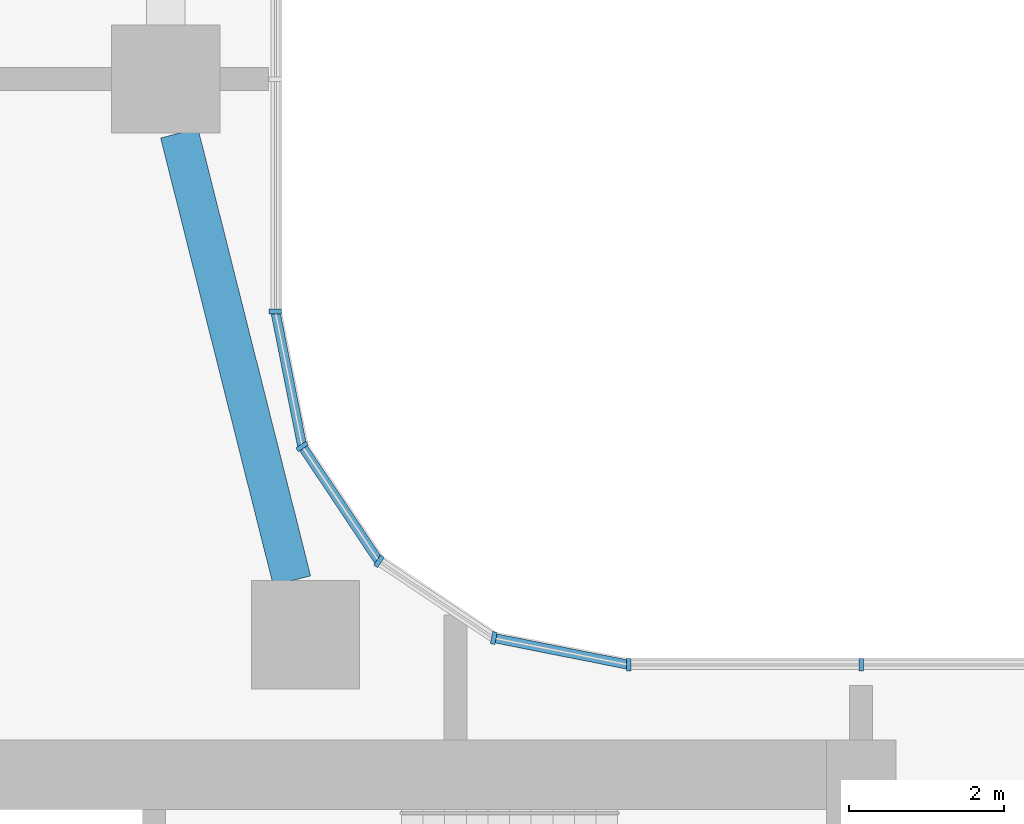
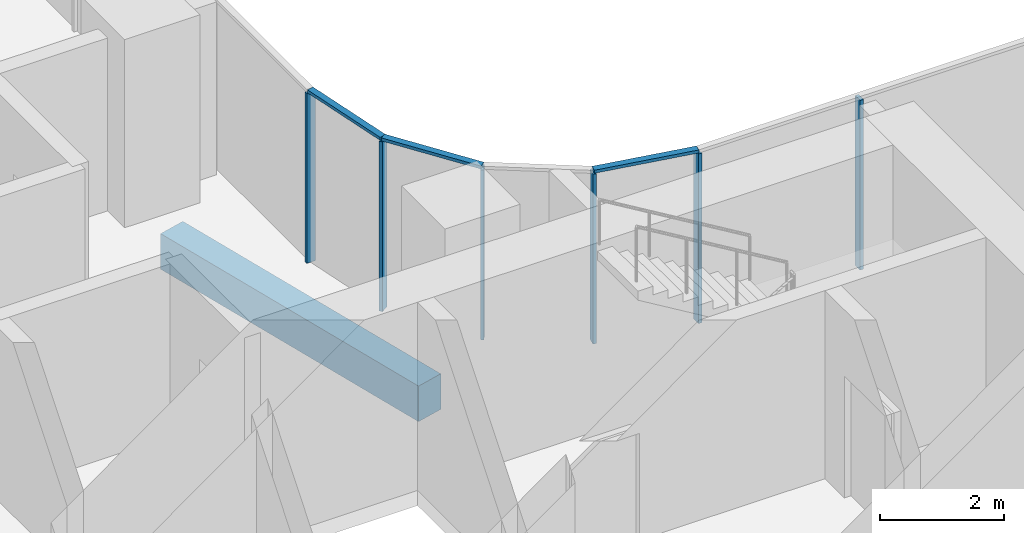
# One storey, part 2 of 33: 9 members, 1 beam, 3 elements without a shape of their own.
"""IFC4 building model written with IfcOpenShell, lengths in metres."""

from ifc_helpers import new_model, si_unit, direction, frame, origin, origin_2d, place, context, subcontext, project, spatial, rectangle, extrude, material, material_profile, profile_set, type_object, element, aggregate, save


model = new_model("IFC4")

# Units and contexts
model_context = context("Model", 3, precision=1e-05, world=origin(), true_north=direction((0.0, 1.0)))
body_context = subcontext(model_context, "Body", "Model", "MODEL_VIEW")
ifc_project = project(units=[si_unit("LENGTHUNIT", "METRE"), si_unit("AREAUNIT", "SQUARE_METRE"), si_unit("VOLUMEUNIT", "CUBIC_METRE"), si_unit("PLANEANGLEUNIT", "RADIAN"), si_unit("MASSUNIT", "GRAM", prefix="KILO")], contexts=[model_context])

# Site, building, storey
site_placement = place(None, origin())
site = spatial("IfcSite", under=ifc_project, at=site_placement, CompositionType="ELEMENT")
building_placement = place(site_placement, origin())
building = spatial("IfcBuilding", under=site, at=building_placement, Name="Ogive Portal Towers", CompositionType="ELEMENT")
storey_placement = place(building_placement, frame((0.0, 0.0, 77.89990234375)))
storey = spatial("IfcBuildingStorey", under=building, at=storey_placement, Name="L18", CompositionType="ELEMENT", Elevation=77.89990234375)

# Curtain wall, members
ifc_material_1 = material(Name="Glass, clear low-iron insulated glazing", Category="glass")
curtain_wall_type = type_object("IfcCurtainWallType", Name="CW FRONT RIBBON 4500", PredefinedType="NOTDEFINED", material=ifc_material_1)
curtain_wall_1_placement = place(storey_placement, origin())
curtain_wall_1 = element("IfcCurtainWall", 1, at=curtain_wall_1_placement, inside=storey, type_object=curtain_wall_type, Name="A:L18:f12:cw0", PredefinedType="NOTDEFINED")
ifc_material_2 = material(Name="Aluminium 6063 anodised", Category="aluminium")
ifc_material_profile_1 = material_profile(ifc_material_2, rectangle(XDim=0.159912109375, YDim=0.06005859375, at=origin_2d()), Name="AL 60x160")
ifc_profile_set_1 = profile_set([ifc_material_profile_1], Name="Aluminium 6063 anodised")
member_type_1 = type_object("IfcMemberType", Name="CW MULLION 60x160", PredefinedType="MULLION", material=ifc_profile_set_1)
member_1_placement = place(storey_placement, frame((58.5, 40.919921875, 0.0), z_axis=(0.0, 0.0, 1.0), x_axis=(0.0, -1.0, 0.0)))
member_1 = element("IfcMember", 2, at=member_1_placement, type_object=member_type_1, Name="mullion", PredefinedType="MULLION", context=body_context, shape_type="SweptSolid", body=[
    extrude(rectangle(XDim=0.159912109375, YDim=0.06005859375, at=origin_2d()), origin(), (0.0, 0.0, 1.0), 3.340087890625),
])
member_2_placement = place(storey_placement, frame((55.4921875, 40.919921875, 0.0), z_axis=(0.0, 0.0, 1.0), x_axis=(0.0, -1.0, 0.0)))
member_2 = element("IfcMember", 3, at=member_2_placement, type_object=member_type_1, Name="mullion", PredefinedType="MULLION", context=body_context, shape_type="SweptSolid", body=[
    extrude(rectangle(XDim=0.159912109375, YDim=0.06005859375, at=origin_2d()), origin(), (0.0, 0.0, 1.0), 3.340087890625),
])
aggregate(curtain_wall_1, [member_1, member_2])

# Curtain wall, member
curtain_wall_2_placement = place(storey_placement, origin())
curtain_wall_2 = element("IfcCurtainWall", 4, at=curtain_wall_2_placement, inside=storey, type_object=curtain_wall_type, Name="A:L18:f17:cw0", PredefinedType="NOTDEFINED")
member_3_placement = place(storey_placement, frame((50.919921875, 45.4921875, 0.0), z_axis=(0.0, 0.0, 1.0), x_axis=(-1.0, 0.0, 0.0)))
member_3 = element("IfcMember", 5, at=member_3_placement, type_object=member_type_1, Name="mullion", PredefinedType="MULLION", context=body_context, shape_type="SweptSolid", body=[
    extrude(rectangle(XDim=0.159912109375, YDim=0.06005859375, at=origin_2d()), origin(), (0.0, 0.0, 1.0), 3.340087890625),
])
aggregate(curtain_wall_2, [member_3])

# Curtain wall, members
curtain_wall_3_placement = place(storey_placement, origin())
curtain_wall_3 = element("IfcCurtainWall", 6, at=curtain_wall_3_placement, inside=storey, type_object=curtain_wall_type, Name="A:L18:f13:cwa", PredefinedType="NOTDEFINED")
member_4_placement = place(storey_placement, frame((53.746826171875, 41.26708984375, 0.0), z_axis=(0.0, 0.0, 1.0), x_axis=(-0.195090322016, -0.980785280403, 0.0)))
member_4 = element("IfcMember", 7, at=member_4_placement, type_object=member_type_1, Name="mullion", PredefinedType="MULLION", context=body_context, shape_type="SweptSolid", body=[
    extrude(rectangle(XDim=0.159912109375, YDim=0.06005859375, at=origin_2d()), origin(), (0.0, 0.0, 1.0), 3.340087890625),
])
member_5_placement = place(storey_placement, frame((52.26025390625, 42.26025390625, 0.0), z_axis=(0.0, 0.0, 1.0), x_axis=(-0.55557023302, -0.831469612303, 0.0)))
member_5 = element("IfcMember", 8, at=member_5_placement, type_object=member_type_1, Name="mullion", PredefinedType="MULLION", context=body_context, shape_type="SweptSolid", body=[
    extrude(rectangle(XDim=0.159912109375, YDim=0.06005859375, at=origin_2d()), origin(), (0.0, 0.0, 1.0), 3.340087890625),
])
member_6_placement = place(storey_placement, frame((51.26708984375, 43.746826171875, 0.0), z_axis=(0.0, 0.0, 1.0), x_axis=(-0.831469612303, -0.55557023302, 0.0)))
member_6 = element("IfcMember", 9, at=member_6_placement, type_object=member_type_1, Name="mullion", PredefinedType="MULLION", context=body_context, shape_type="SweptSolid", body=[
    extrude(rectangle(XDim=0.159912109375, YDim=0.06005859375, at=origin_2d()), origin(), (0.0, 0.0, 1.0), 3.340087890625),
])
ifc_material_profile_2 = material_profile(ifc_material_2, rectangle(XDim=0.1201171875, YDim=0.06005859375, at=origin_2d()), Name="AL 120x60")
ifc_profile_set_2 = profile_set([ifc_material_profile_2], Name="Aluminium 6063 anodised")
member_type_2 = type_object("IfcMemberType", Name="CW TRANSOM 60x120", PredefinedType="USERDEFINED", material=ifc_profile_set_2)
member_7_placement = place(storey_placement, frame((55.4921875, 40.919921875, 3.3701171875), z_axis=(-0.980785923915, 0.195087086838, 0.0), x_axis=(-0.195087086838, -0.980785923915, 0.0)))
member_7 = element("IfcMember", 10, at=member_7_placement, type_object=member_type_2, Name="transom", ObjectType="TRANSOM", PredefinedType="USERDEFINED", context=body_context, shape_type="SweptSolid", body=[
    extrude(rectangle(XDim=0.1201171875, YDim=0.06005859375, at=origin_2d()), origin(), (0.0, 0.0, 1.0), 1.779541015625),
])
member_8_placement = place(storey_placement, frame((52.26025390625, 42.26025390625, 3.3701171875), z_axis=(-0.555519277244, 0.831503657605, 0.0), x_axis=(-0.831503657605, -0.555519277244, 0.0)))
member_8 = element("IfcMember", 11, at=member_8_placement, type_object=member_type_2, Name="transom", ObjectType="TRANSOM", PredefinedType="USERDEFINED", context=body_context, shape_type="SweptSolid", body=[
    extrude(rectangle(XDim=0.1201171875, YDim=0.06005859375, at=origin_2d()), origin(), (0.0, 0.0, 1.0), 1.787841796875),
])
member_9_placement = place(storey_placement, frame((51.26708984375, 43.746826171875, 3.3701171875), z_axis=(-0.195087086838, 0.980785923915, 0.0), x_axis=(-0.980785923915, -0.195087086838, 0.0)))
member_9 = element("IfcMember", 12, at=member_9_placement, type_object=member_type_2, Name="transom", ObjectType="TRANSOM", PredefinedType="USERDEFINED", context=body_context, shape_type="SweptSolid", body=[
    extrude(rectangle(XDim=0.1201171875, YDim=0.06005859375, at=origin_2d()), origin(), (0.0, 0.0, 1.0), 1.779541015625),
])
aggregate(curtain_wall_3, [member_7, member_8, member_9, member_4, member_5, member_6])

# Beam
ifc_material_3 = material(Name="Concrete C40/50", Category="concrete")
ifc_material_profile_3 = material_profile(ifc_material_3, rectangle(XDim=0.5, YDim=0.699951171875, at=origin_2d()), Name="RC 500x700")
ifc_profile_set_3 = profile_set([ifc_material_profile_3], Name="Concrete C40/50")
beam_type = type_object("IfcBeamType", Name="SPANDREL BEAM RC 500x700", PredefinedType="BEAM", material=ifc_profile_set_3)
beam_placement = place(storey_placement, frame((49.67626953125, 47.800048828125, -0.64990234375), z_axis=(0.24411317639, -0.969746748957, 0.0), x_axis=(0.969746748957, 0.24411317639, 0.0)))
element("IfcBeam", 13, at=beam_placement, inside=storey, type_object=beam_type, Name="Spandrel beam L18", PredefinedType="BEAM", context=body_context, shape_type="SweptSolid", body=[
    extrude(rectangle(XDim=0.5, YDim=0.699951171875, at=origin_2d()), origin(), (0.0, 0.0, 1.0), 5.970703125),
])

save(model, "model.ifc")
